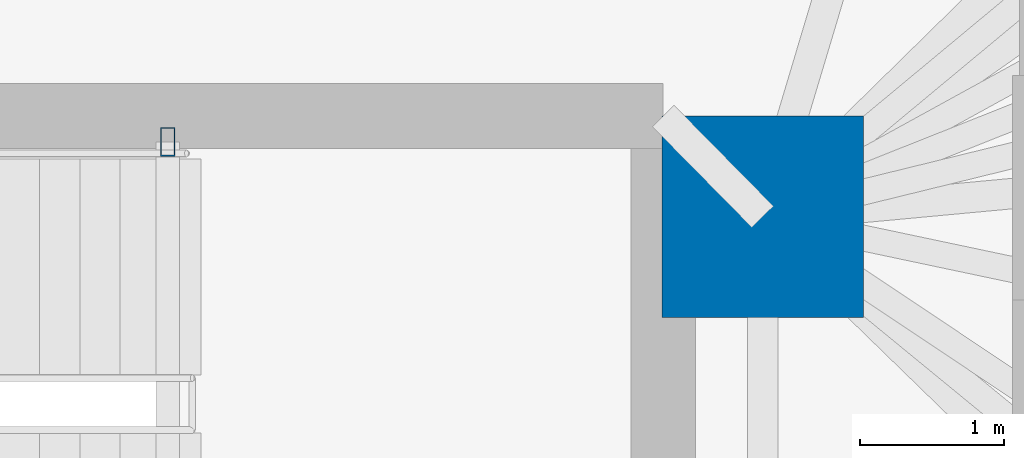
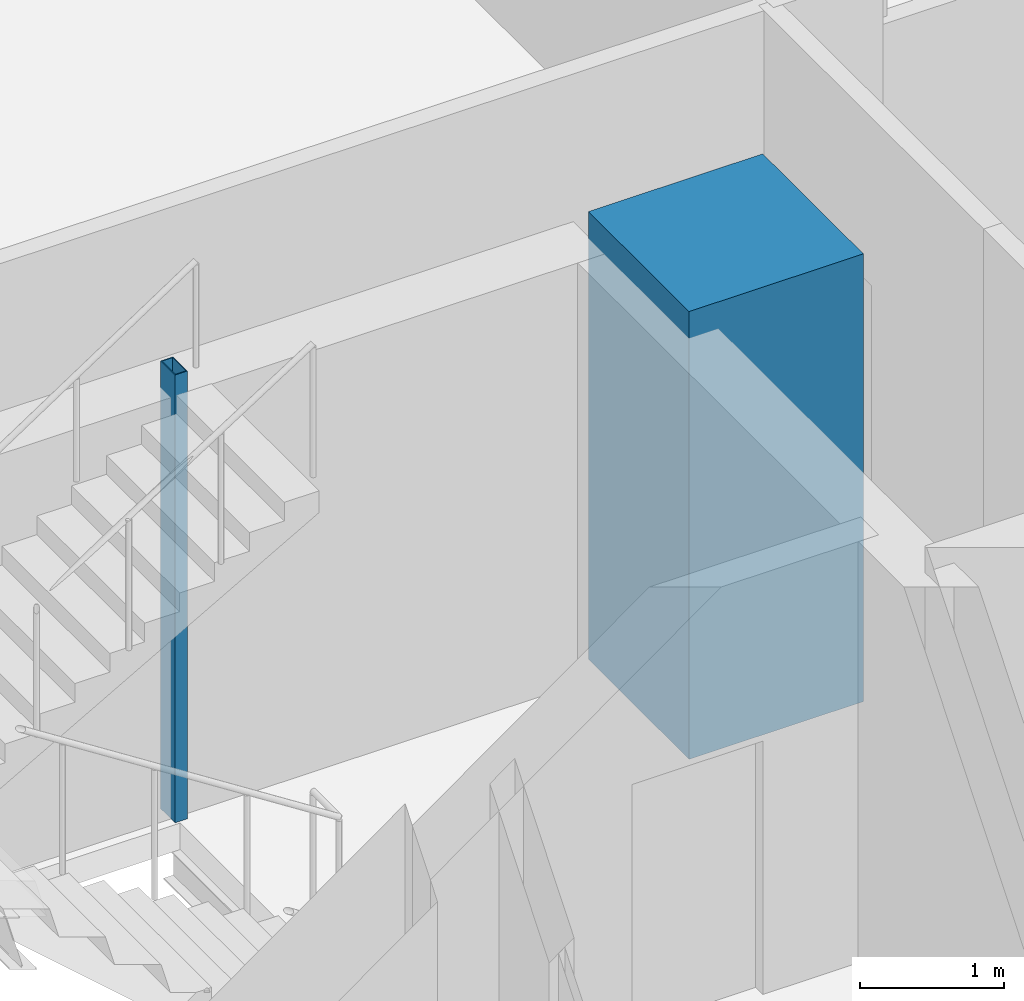
# One storey, part 4 of 17: 2 columns.
"""IFC4 building model written with IfcOpenShell, lengths in metres."""

from ifc_helpers import new_model, si_unit, direction, frame, origin, origin_2d, place, context, subcontext, project, spatial, rectangle, hollow_rectangle, extrude, material, material_profile, profile_set, type_object, element, save


model = new_model("IFC4")

# Units and contexts
model_context = context("Model", 3, precision=1e-05, world=origin(), true_north=direction((0.0, 1.0)))
body_context = subcontext(model_context, "Body", "Model", "MODEL_VIEW")
ifc_project = project(units=[si_unit("LENGTHUNIT", "METRE"), si_unit("AREAUNIT", "SQUARE_METRE"), si_unit("VOLUMEUNIT", "CUBIC_METRE"), si_unit("PLANEANGLEUNIT", "RADIAN"), si_unit("MASSUNIT", "GRAM", prefix="KILO")], contexts=[model_context])

# Site, building, storey
site_placement = place(None, origin())
site = spatial("IfcSite", under=ifc_project, at=site_placement, CompositionType="ELEMENT")
building_placement = place(site_placement, origin())
building = spatial("IfcBuilding", under=site, at=building_placement, Name="Menara Jurai Vektor", CompositionType="ELEMENT")
storey_placement = place(building_placement, frame((0.0, 0.0, 25.60009765625)))
storey = spatial("IfcBuildingStorey", under=building, at=storey_placement, Name="L05", CompositionType="ELEMENT", Elevation=25.60009765625)

# Columns
ifc_material_1 = material(Name="Concrete C60/75", Category="concrete")
ifc_material_profile_1 = material_profile(ifc_material_1, rectangle(XDim=1.39990234375, YDim=1.39990234375, at=origin_2d()), Name="RC 1400x1400")
ifc_profile_set_1 = profile_set([ifc_material_profile_1], Name="Concrete C60/75")
column_type_1 = type_object("IfcColumnType", Name="STR-COL-RC1400", PredefinedType="COLUMN", material=ifc_profile_set_1)
column_1_placement = place(storey_placement, frame((15.25, 4.89990234375, 0.0), z_axis=(0.0, 0.0, 1.0), x_axis=(1.0, 0.0, 0.0)))
element("IfcColumn", 1, at=column_1_placement, inside=storey, type_object=column_type_1, Name="Core Spine Column CE-NE L05", PredefinedType="COLUMN", context=body_context, shape_type="SweptSolid", body=[
    extrude(rectangle(XDim=1.39990234375, YDim=1.39990234375, at=origin_2d()), origin(), (0.0, 0.0, 1.0), 3.7998046875),
])
ifc_material_2 = material(Name="Steel S355", Category="steel")
ifc_material_profile_2 = material_profile(ifc_material_2, hollow_rectangle(XDim=0.10009765625, YDim=0.199951171875, WallThickness=0.008056640625, at=origin_2d()), Name="RHS 200x100x8")
ifc_profile_set_2 = profile_set([ifc_material_profile_2], Name="Steel S355")
column_type_2 = type_object("IfcColumnType", Name="STR-COL-STAIR", PredefinedType="COLUMN", material=ifc_profile_set_2)
column_2_placement = place(storey_placement, frame((11.1201171875, 5.419921875, 0.0), z_axis=(0.0, 0.0, 1.0), x_axis=(1.0, 0.0, 0.0)))
element("IfcColumn", 2, at=column_2_placement, inside=storey, type_object=column_type_2, Name="Stair Well Header Column ST2-P2 L05", PredefinedType="COLUMN", context=body_context, shape_type="SweptSolid", body=[
    extrude(hollow_rectangle(XDim=0.10009765625, YDim=0.199951171875, WallThickness=0.008056640625, at=origin_2d()), origin(), (0.0, 0.0, 1.0), 3.7998046875),
])

save(model, "model.ifc")
